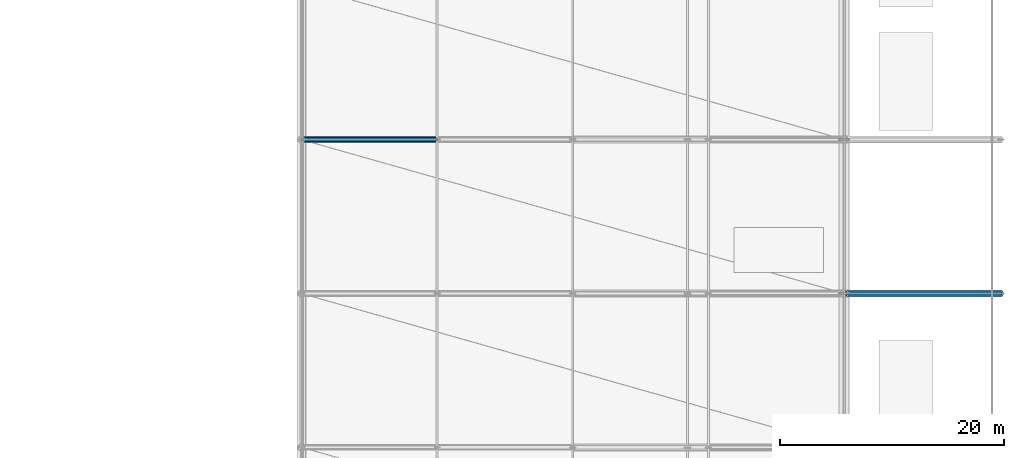
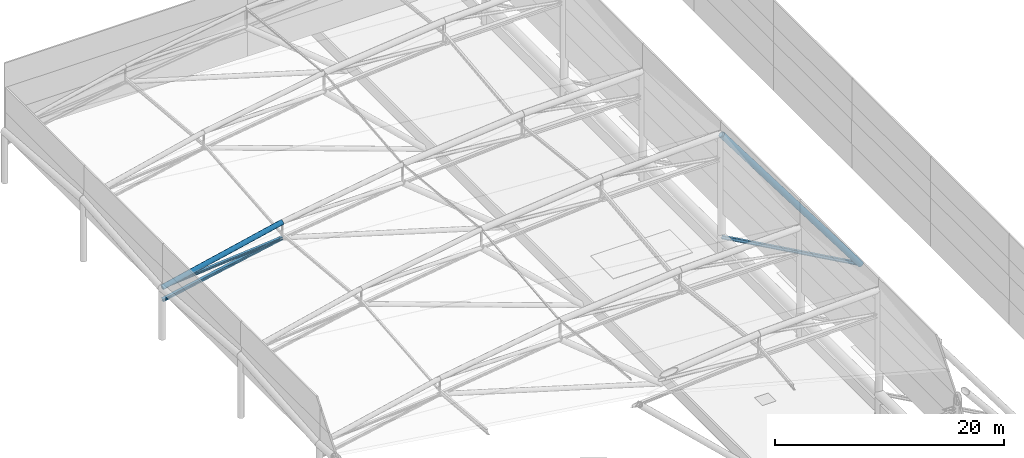
# One storey, part 46 of 113: 5 members.
"""IFC4 building model written with IfcOpenShell, lengths in metres."""

from ifc_helpers import new_model, si_unit, direction, frame, origin, origin_2d, place, context, subcontext, project, spatial, hollow_circle, i_section, extrude, material, material_profile, profile_set, type_object, element, save


model = new_model("IFC4")

# Units and contexts
model_context = context("Model", 3, precision=1e-05, world=origin(), true_north=direction((0.0, 1.0)))
body_context = subcontext(model_context, "Body", "Model", "MODEL_VIEW")
ifc_project = project(units=[si_unit("LENGTHUNIT", "METRE"), si_unit("AREAUNIT", "SQUARE_METRE"), si_unit("VOLUMEUNIT", "CUBIC_METRE"), si_unit("PLANEANGLEUNIT", "RADIAN"), si_unit("MASSUNIT", "GRAM", prefix="KILO")], contexts=[model_context])

# Site, building, storey
site_placement = place(None, origin())
site = spatial("IfcSite", under=ifc_project, at=site_placement, CompositionType="ELEMENT")
building_placement = place(site_placement, origin())
building = spatial("IfcBuilding", under=site, at=building_placement, Name="Linyun Crest Stadium", CompositionType="ELEMENT")
storey_placement = place(building_placement, frame((0.0, 0.0, 26.39990234375)))
storey = spatial("IfcBuildingStorey", under=building, at=storey_placement, Name="L06", CompositionType="ELEMENT", Elevation=26.39990234375)

# Members
ifc_material_1 = material(Name="Steel Q420C", Category="steel")
ifc_material_profile_1 = material_profile(ifc_material_1, hollow_circle(Radius=0.25390625, WallThickness=0.02490234375, at=origin_2d()), Name="CHS 508x25")
ifc_profile_set_1 = profile_set([ifc_material_profile_1], Name="Steel Q420C")
member_type_1 = type_object("IfcMemberType", Name="TC01", PredefinedType="CHORD", material=ifc_profile_set_1)
member_1_placement = place(storey_placement, frame((47.625, 15.875, 8.174072265625), z_axis=(-0.975645083267, 0.0, -0.219355126445), x_axis=(0.0, -1.0, 0.0)))
element("IfcMember", 1, at=member_1_placement, inside=storey, type_object=member_type_1, Name="Roof truss top chord TC01 V2 289", PredefinedType="CHORD", context=body_context, shape_type="SweptSolid", body=[
    extrude(hollow_circle(Radius=0.25390625, WallThickness=0.02490234375, at=origin_2d()), origin(), (0.0, 0.0, 1.0), 12.427734375),
])
ifc_material_2 = material(Name="Steel Q420C", Category="steel")
ifc_material_profile_2 = material_profile(ifc_material_2, hollow_circle(Radius=0.304931640625, WallThickness=0.030029296875, at=origin_2d()), Name="CHS 610x30")
ifc_profile_set_2 = profile_set([ifc_material_profile_2], Name="Steel Q420C")
member_type_2 = type_object("IfcMemberType", Name="TC02", PredefinedType="CHORD", material=ifc_profile_set_2)
member_2_placement = place(storey_placement, frame((84.0, 2.125, 13.10009765625), z_axis=(0.599315851655, 0.0, -0.800512654463), x_axis=(0.0, 1.0, 0.0)))
element("IfcMember", 2, at=member_2_placement, inside=storey, type_object=member_type_2, Name="Roof truss back-stay chord TC02 V2 257", PredefinedType="CHORD", context=body_context, shape_type="SweptSolid", body=[
    extrude(hollow_circle(Radius=0.304931640625, WallThickness=0.030029296875, at=origin_2d()), origin(), (0.0, 0.0, 1.0), 23.35986328125),
])
ifc_material_3 = material(Name="Steel Q355C", Category="steel")
ifc_material_profile_3 = material_profile(ifc_material_3, i_section(OverallWidth=0.300048828125, OverallDepth=0.300048828125, WebThickness=0.010009765625, FlangeThickness=0.014892578125, at=origin_2d()), Name="HW 300x300")
ifc_profile_set_3 = profile_set([ifc_material_profile_3], Name="Steel Q355C")
member_type_3 = type_object("IfcMemberType", Name="TC03", PredefinedType="CHORD", material=ifc_profile_set_3)
member_3_placement = place(storey_placement, frame((84.0, 2.125, 2.18505859375), z_axis=(0.873968137748, 0.0, -0.485983224197), x_axis=(0.0, 1.0, 0.0)))
element("IfcMember", 3, at=member_3_placement, inside=storey, type_object=member_type_3, Name="Roof truss lower back-span chord TC03 V2 258", PredefinedType="CHORD", context=body_context, shape_type="SweptSolid", body=[
    extrude(i_section(OverallWidth=0.300048828125, OverallDepth=0.300048828125, WebThickness=0.010009765625, FlangeThickness=0.014892578125, at=origin_2d()), origin(), (0.0, 0.0, 1.0), 16.018798828125),
])
member_4_placement = place(storey_placement, frame((47.625, 15.875, 6.510009765625), z_axis=(-0.9807542225, 0.0, -0.195246395737), x_axis=(0.0, -1.0, 0.0)))
element("IfcMember", 4, at=member_4_placement, inside=storey, type_object=member_type_3, Name="Roof truss bottom chord TC03 V2 290", PredefinedType="CHORD", context=body_context, shape_type="SweptSolid", body=[
    extrude(i_section(OverallWidth=0.300048828125, OverallDepth=0.300048828125, WebThickness=0.010009765625, FlangeThickness=0.014892578125, at=origin_2d()), origin(), (0.0, 0.0, 1.0), 12.363037109375),
])
ifc_material_4 = material(Name="Steel Q355C", Category="steel")
ifc_material_profile_4 = material_profile(ifc_material_4, i_section(OverallWidth=0.25, OverallDepth=0.25, WebThickness=0.009033203125, FlangeThickness=0.013916015625, at=origin_2d()), Name="HW 250x250")
ifc_profile_set_4 = profile_set([ifc_material_profile_4], Name="Steel Q355C")
member_type_4 = type_object("IfcMemberType", Name="TD04", PredefinedType="BRACE", material=ifc_profile_set_4)
member_5_placement = place(storey_placement, frame((47.625, 15.875, 6.510009765625), z_axis=(-0.996186049794, 0.0, -0.08725453682), x_axis=(0.0, -1.0, 0.0)))
element("IfcMember", 5, at=member_5_placement, inside=storey, type_object=member_type_4, Name="Roof truss diagonal TD04 V2 291", PredefinedType="BRACE", context=body_context, shape_type="SweptSolid", body=[
    extrude(i_section(OverallWidth=0.25, OverallDepth=0.25, WebThickness=0.009033203125, FlangeThickness=0.013916015625, at=origin_2d()), origin(), (0.0, 0.0, 1.0), 12.17138671875),
])

save(model, "model.ifc")
